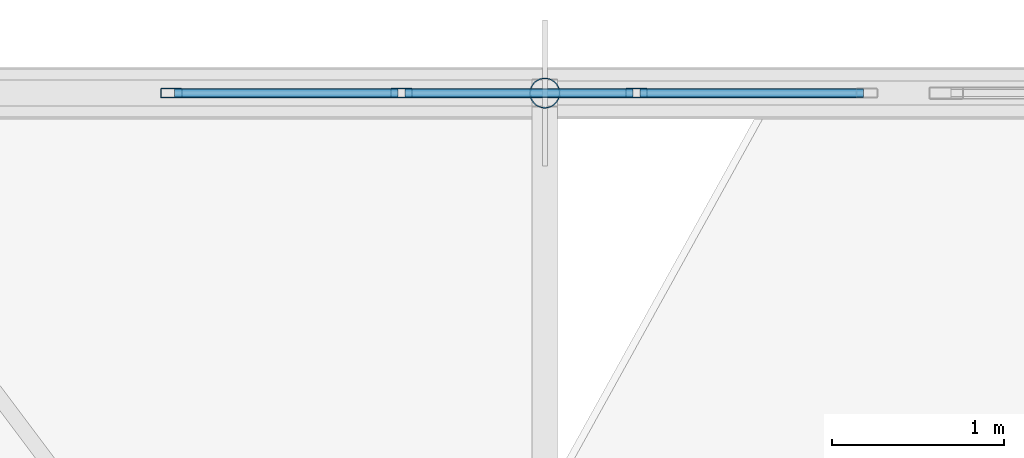
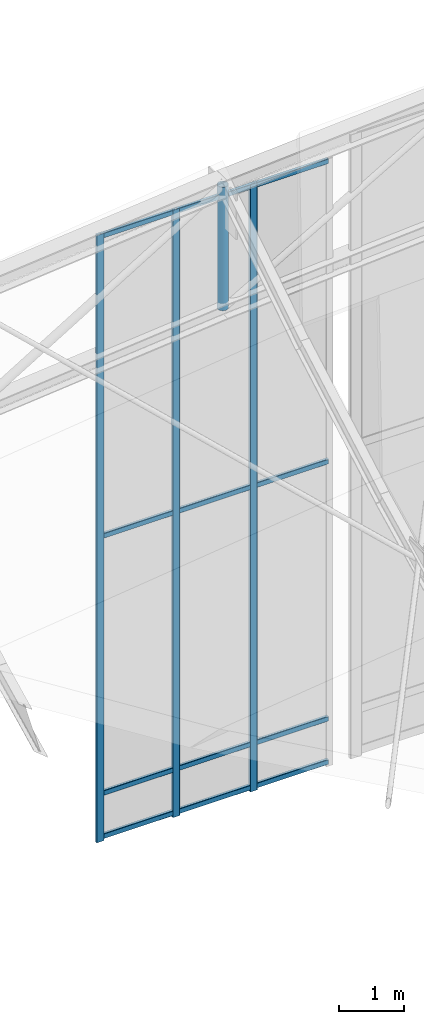
# One storey, part 188 of 262: 16 members, 1 element without a shape of its own.
"""IFC4 building model written with IfcOpenShell, lengths in metres."""

import ifcopenshell
import ifcopenshell.guid

model = None  # the IFC model being written
_history = None  # IfcOwnerHistory: only IFC2X3 demands one
_inside = {}  # id of a spatial element -> (the spatial element, [elements in it])
_under = {}  # id of a project, library or spatial element -> (it, [spatial elements below it])
_declared = {}  # id of a project -> (the project, [libraries it declares])
_typed = {}  # id of a type object -> (the type object, [elements of that type])
_made_of = {}  # id of a material, layer set ... -> (it, [elements and type objects made of it])


def new_model(schema):
    """Start an empty IFC model of exactly this schema.

    Asked for "IFC4X3", IfcOpenShell would pick the latest addendum, in which some entities
    have other attributes; the version numbers below select the first issue.
    IFC2X3 requires an IfcOwnerHistory on every rooted entity: one is made here for all.
    """
    global model, _history
    if schema == "IFC4X3":
        model = ifcopenshell.file(schema_version=(4, 3, 0, 0))
    else:
        model = ifcopenshell.file(schema=schema)
    _inside.clear()
    _under.clear()
    _declared.clear()
    _typed.clear()
    _made_of.clear()
    _history = None
    if model.schema == "IFC2X3":
        org = make("IfcOrganization", Name="unknown")
        user = make(
            "IfcPersonAndOrganization",
            ThePerson=make("IfcPerson", FamilyName="unknown"),
            TheOrganization=org,
        )
        app = make(
            "IfcApplication",
            ApplicationDeveloper=org,
            Version="unknown",
            ApplicationFullName="unknown",
            ApplicationIdentifier="unknown",
        )
        _history = make(
            "IfcOwnerHistory",
            OwningUser=user,
            OwningApplication=app,
            ChangeAction="ADDED",
            CreationDate=0,
        )
    return model


def make(cls, **values):
    """One entity of the class cls with the attributes given. An attribute that is None is left unset."""
    return model.create_entity(
        cls, **{name: value for name, value in values.items() if value is not None}
    )


def rooted(cls, **values):
    """An entity with a GlobalId (a new one), such as an element, a storey or a relation."""
    return make(cls, GlobalId=ifcopenshell.guid.new(), OwnerHistory=_history, **values)


def si_unit(unit_type, name, prefix=None):
    """IfcSIUnit, for example si_unit("LENGTHUNIT", "METRE", prefix="MILLI")."""
    return make("IfcSIUnit", UnitType=unit_type, Prefix=prefix, Name=name)


def derived_unit(unit_type, elements):
    """IfcDerivedUnit: a product of units, each with its exponent."""
    return make(
        "IfcDerivedUnit",
        Elements=[
            make("IfcDerivedUnitElement", Unit=unit, Exponent=power)
            for unit, power in elements
        ],
        UnitType=unit_type,
    )


def assignment(units):
    """IfcUnitAssignment: the units of a project."""
    return None if units is None else make("IfcUnitAssignment", Units=units)


def point(xyz):
    """IfcCartesianPoint."""
    return None if xyz is None else make("IfcCartesianPoint", Coordinates=xyz)


def direction(xyz):
    """IfcDirection."""
    return None if xyz is None else make("IfcDirection", DirectionRatios=xyz)


def frame(location, z_axis=None, x_axis=None):
    """IfcAxis2Placement3D, a coordinate frame: its origin and axes. An axis left out is left unset."""
    return make(
        "IfcAxis2Placement3D",
        Location=point(location),
        Axis=direction(z_axis),
        RefDirection=direction(x_axis),
    )


def frame_2d(location, x_axis=None):
    """IfcAxis2Placement2D, a coordinate frame in the plane: its origin and x axis."""
    return make(
        "IfcAxis2Placement2D", Location=point(location), RefDirection=direction(x_axis)
    )


def origin():
    """The frame at (0, 0, 0) with its axes left unset."""
    return frame((0.0, 0.0, 0.0))


def origin_2d():
    """The frame at (0, 0) in the plane with its x axis left unset."""
    return frame_2d((0.0, 0.0))


def place(relative_to, where):
    """IfcLocalPlacement: puts the frame where relative to a parent placement (None: the world)."""
    return make(
        "IfcLocalPlacement", PlacementRelTo=relative_to, RelativePlacement=where
    )


def context(
    kind, dimensions, precision=None, world=None, true_north=None, identifier=None
):
    """IfcGeometricRepresentationContext, for example the 3D "Model" context."""
    return make(
        "IfcGeometricRepresentationContext",
        ContextIdentifier=identifier,
        ContextType=kind,
        CoordinateSpaceDimension=dimensions,
        Precision=precision,
        WorldCoordinateSystem=world,
        TrueNorth=true_north,
    )


def subcontext(parent, identifier, kind, view, scale=None):
    """IfcGeometricRepresentationSubContext, for example "Body" below "Model"."""
    return make(
        "IfcGeometricRepresentationSubContext",
        ContextIdentifier=identifier,
        ContextType=kind,
        ParentContext=parent,
        TargetScale=scale,
        TargetView=view,
    )


def project(units=None, contexts=None):
    """IfcProject with its units and contexts."""
    return rooted(
        "IfcProject",
        Name="project",
        RepresentationContexts=contexts,
        UnitsInContext=assignment(units),
    )


def spatial(cls, under=None, at=None, **own):
    """A site, building, storey or space (cls), placed at a placement, below another one or the project."""
    s = rooted(cls, ObjectPlacement=at, **own)
    if under is not None:
        _under.setdefault(under.id(), (under, []))[1].append(s)
    return s


def profile(cls, at=None, kind="AREA", **sizes):
    """A parametric profile (cls). Its sizes go by their IFC names, for example OverallWidth=200.0."""
    return make(cls, ProfileType=kind, Position=at, **sizes)


def hollow_rectangle(**sizes):
    """IfcRectangleHollowProfileDef."""
    return profile("IfcRectangleHollowProfileDef", **sizes)


def hollow_circle(**sizes):
    """IfcCircleHollowProfileDef."""
    return profile("IfcCircleHollowProfileDef", **sizes)


def extrude(swept, where, along, depth):
    """IfcExtrudedAreaSolid: the profile swept, set in the frame where, extruded along a direction by depth."""
    return make(
        "IfcExtrudedAreaSolid",
        SweptArea=swept,
        Position=where,
        ExtrudedDirection=direction(along),
        Depth=depth,
    )


def shape(context_of_items, identifier, shape_type, items):
    """IfcShapeRepresentation: the items that make up one representation, for example the "Body"."""
    return make(
        "IfcShapeRepresentation",
        ContextOfItems=context_of_items,
        RepresentationIdentifier=identifier,
        RepresentationType=shape_type,
        Items=items,
    )


def material(Name=None, Category=None):
    """IfcMaterial."""
    return make("IfcMaterial", Name=Name, Category=Category)


def layer(
    of_material, thickness, ventilated=None, Name=None, Category=None, Priority=None
):
    """IfcMaterialLayer: one layer of a wall or slab, of a material (None: an air gap)."""
    return make(
        "IfcMaterialLayer",
        Material=of_material,
        LayerThickness=thickness,
        IsVentilated=ventilated,
        Name=Name,
        Category=Category,
        Priority=Priority,
    )


def layer_set(layers, Name=None):
    """IfcMaterialLayerSet."""
    return make("IfcMaterialLayerSet", MaterialLayers=layers, LayerSetName=Name)


def material_profile(
    of_material, cross_section, Name=None, Category=None, Priority=None
):
    """IfcMaterialProfile: a cross section and its material."""
    return make(
        "IfcMaterialProfile",
        Name=Name,
        Material=of_material,
        Profile=cross_section,
        Priority=Priority,
        Category=Category,
    )


def profile_set(profiles, Name=None, composite=None):
    """IfcMaterialProfileSet."""
    return make(
        "IfcMaterialProfileSet",
        Name=Name,
        MaterialProfiles=profiles,
        CompositeProfile=composite,
    )


def made_of(thing, what):
    """Note that an element or type object is made of a material, layer set ...; save() writes the relation."""
    if what is not None:
        _made_of.setdefault(what.id(), (what, []))[1].append(thing)
    return thing


def type_object(cls, material=None, **own):
    """A type object (cls), such as IfcWallType, which elements share."""
    return made_of(rooted(cls, **own), material)


def element(
    cls,
    number,
    at=None,
    inside=None,
    cuts=None,
    type_object=None,
    material=None,
    context=None,
    identifier="Body",
    shape_type=None,
    held_by="IfcProductDefinitionShape",
    body=None,
    shapes=None,
    **own,
):
    """One element of the class cls, such as IfcWall. Its Tag is "e" and its number.

    at: its placement. inside: the storey or other place that contains it. cuts: it is an
    opening in that element (IfcRelVoidsElement). A single representation is given by context,
    identifier, shape_type and body (its items); several are given by shapes. held_by: the class
    of the entity that holds the representations. save() writes the other relations.
    """
    e = rooted(cls, Tag="e%d" % number, ObjectPlacement=at, **own)
    if body is not None:
        shapes = [shape(context, identifier, shape_type, body)]
    if shapes is not None:
        e.Representation = make(held_by, Representations=shapes)
    if inside is not None:
        _inside.setdefault(inside.id(), (inside, []))[1].append(e)
    if cuts is not None:
        rooted(
            "IfcRelVoidsElement", RelatingBuildingElement=cuts, RelatedOpeningElement=e
        )
    if type_object is not None:
        _typed.setdefault(type_object.id(), (type_object, []))[1].append(e)
    return made_of(e, material)


def aggregate(whole, parts):
    """IfcRelAggregates: a whole, such as a stair, and the parts it consists of."""
    return rooted("IfcRelAggregates", RelatingObject=whole, RelatedObjects=parts)


def save(model, path):
    """Write the relations noted so far, then the file.

    IfcRelAggregates (storeys below a building ...), IfcRelContainedInSpatialStructure (elements
    in a storey), IfcRelDefinesByType, IfcRelAssociatesMaterial and IfcRelDeclares: one each for
    every whole, place, type object, material and project.
    """
    for whole, parts in _under.values():
        aggregate(whole, parts)
    for where, things in _inside.values():
        rooted(
            "IfcRelContainedInSpatialStructure",
            RelatedElements=things,
            RelatingStructure=where,
        )
    for kind, things in _typed.values():
        rooted("IfcRelDefinesByType", RelatedObjects=things, RelatingType=kind)
    for what, things in _made_of.values():
        rooted("IfcRelAssociatesMaterial", RelatedObjects=things, RelatingMaterial=what)
    for by, libraries in _declared.values():
        rooted("IfcRelDeclares", RelatingContext=by, RelatedDefinitions=libraries)
    model.write(path)


model = new_model("IFC4")

# Units and contexts
model_context = context("Model", 3, precision=1e-05, world=origin(), true_north=direction((0.0, 1.0)))
body_context = subcontext(model_context, "Body", "Model", "MODEL_VIEW")
ifc_project = project(units=[si_unit("LENGTHUNIT", "METRE"), si_unit("AREAUNIT", "SQUARE_METRE"), si_unit("VOLUMEUNIT", "CUBIC_METRE"), si_unit("PLANEANGLEUNIT", "RADIAN"), si_unit("MASSUNIT", "GRAM", prefix="KILO"), derived_unit("THERMALTRANSMITTANCEUNIT", [(si_unit("POWERUNIT", "WATT"), 1), (si_unit("LENGTHUNIT", "METRE"), -2), (si_unit("THERMODYNAMICTEMPERATUREUNIT", "KELVIN"), -1)])], contexts=[model_context])

# Site, building, storey
site_placement = place(None, origin())
site = spatial("IfcSite", under=ifc_project, at=site_placement, CompositionType="ELEMENT")
building_placement = place(site_placement, origin())
building = spatial("IfcBuilding", under=site, at=building_placement, Name="Almenara Railside Exhibition Hall", CompositionType="ELEMENT")
storey_placement = place(building_placement, frame((0.0, 0.0, 21.699951171875)))
storey = spatial("IfcBuildingStorey", under=building, at=storey_placement, Name="RF", CompositionType="ELEMENT", Elevation=21.699951171875)

# Curtain wall, members
ifc_material_1 = material(Name="Bronze-anodised aluminium and low-E double glazing", Category="aluminium")
ifc_layer = layer(ifc_material_1, 0.179931640625, Name="Bronze-anodised aluminium and low-E double glazing")
ifc_layer_set = layer_set([ifc_layer], Name="Bronze-anodised aluminium and low-E double glazing")
curtain_wall_type = type_object("IfcCurtainWallType", Name="Scroll Gable Tall Curtain Wall 3800x5400", PredefinedType="NOTDEFINED", material=ifc_layer_set)
curtain_wall_placement = place(storey_placement, origin())
curtain_wall = element("IfcCurtainWall", 1, at=curtain_wall_placement, inside=storey, type_object=curtain_wall_type, Name="Curtain wall CW-G1-207", PredefinedType="NOTDEFINED")
ifc_material_2 = material(Name="Bronze-anodised aluminium", Category="aluminium")
ifc_material_profile_1 = material_profile(ifc_material_2, hollow_rectangle(XDim=0.054931640625, YDim=0.125, WallThickness=0.0029296875, InnerFilletRadius=0.0029296875, OuterFilletRadius=0.006103515625, at=origin_2d()), Name="ALU-MUL 55x125x3")
ifc_profile_set_1 = profile_set([ifc_material_profile_1], Name="Bronze-anodised aluminium")
member_type_1 = type_object("IfcMemberType", Name="Curtain Wall Mullion 55x125x3", PredefinedType="MULLION", material=ifc_profile_set_1)
member_1_placement = place(storey_placement, frame((23.327392578125, 132.0, -0.93505859375), z_axis=(0.0, 0.0, 1.0), x_axis=(0.0, 1.0, 0.0)))
member_1 = element("IfcMember", 2, at=member_1_placement, type_object=member_type_1, Name="CW-G1-207 mullion 1", PredefinedType="MULLION", context=body_context, shape_type="SweptSolid", body=[
    extrude(hollow_rectangle(XDim=0.054931640625, YDim=0.125, WallThickness=0.0029296875, InnerFilletRadius=0.0029296875, OuterFilletRadius=0.006103515625, at=origin_2d()), origin(), (0.0, 0.0, 1.0), 11.3251953125),
])
member_2_placement = place(storey_placement, frame((24.666748046875, 132.0, -0.93505859375), z_axis=(0.0, 0.0, 1.0), x_axis=(0.0, 1.0, 0.0)))
member_2 = element("IfcMember", 3, at=member_2_placement, type_object=member_type_1, Name="CW-G1-207 mullion 2", PredefinedType="MULLION", context=body_context, shape_type="SweptSolid", body=[
    extrude(hollow_rectangle(XDim=0.054931640625, YDim=0.125, WallThickness=0.0029296875, InnerFilletRadius=0.0029296875, OuterFilletRadius=0.006103515625, at=origin_2d()), origin(), (0.0, 0.0, 1.0), 11.3251953125),
])
member_3_placement = place(storey_placement, frame((26.033447265625, 132.0, -0.93505859375), z_axis=(0.0, 0.0, 1.0), x_axis=(0.0, 1.0, 0.0)))
member_3 = element("IfcMember", 4, at=member_3_placement, type_object=member_type_1, Name="CW-G1-207 mullion 3", PredefinedType="MULLION", context=body_context, shape_type="SweptSolid", body=[
    extrude(hollow_rectangle(XDim=0.054931640625, YDim=0.125, WallThickness=0.0029296875, InnerFilletRadius=0.0029296875, OuterFilletRadius=0.006103515625, at=origin_2d()), origin(), (0.0, 0.0, 1.0), 11.3251953125),
])
ifc_material_profile_2 = material_profile(ifc_material_2, hollow_rectangle(XDim=0.054931640625, YDim=0.090087890625, WallThickness=0.0029296875, InnerFilletRadius=0.0029296875, OuterFilletRadius=0.006103515625, at=origin_2d()), Name="ALU-TRN 55x90x3")
ifc_profile_set_2 = profile_set([ifc_material_profile_2], Name="Bronze-anodised aluminium")
member_type_2 = type_object("IfcMemberType", Name="Curtain Wall Transom 55x90x3", PredefinedType="USERDEFINED", material=ifc_profile_set_2)
member_4_placement = place(storey_placement, frame((23.346923828125, 132.0, -0.85498046875), z_axis=(1.0, 0.0, 0.0), x_axis=(0.0, 1.0, 0.0)))
member_4 = element("IfcMember", 5, at=member_4_placement, type_object=member_type_2, Name="CW-G1-207 transom 1.1", ObjectType="TRANSOM", PredefinedType="USERDEFINED", context=body_context, shape_type="SweptSolid", body=[
    extrude(hollow_rectangle(XDim=0.054931640625, YDim=0.090087890625, WallThickness=0.0029296875, InnerFilletRadius=0.0029296875, OuterFilletRadius=0.006103515625, at=origin_2d()), origin(), (0.0, 0.0, 1.0), 1.30029296875),
])
member_5_placement = place(storey_placement, frame((23.346923828125, 132.0, -0.050048828125), z_axis=(1.0, 0.0, 0.0), x_axis=(0.0, 1.0, 0.0)))
member_5 = element("IfcMember", 6, at=member_5_placement, type_object=member_type_2, Name="CW-G1-207 transom 1.2", ObjectType="TRANSOM", PredefinedType="USERDEFINED", context=body_context, shape_type="SweptSolid", body=[
    extrude(hollow_rectangle(XDim=0.054931640625, YDim=0.090087890625, WallThickness=0.0029296875, InnerFilletRadius=0.0029296875, OuterFilletRadius=0.006103515625, at=origin_2d()), origin(), (0.0, 0.0, 1.0), 1.30029296875),
])
member_6_placement = place(storey_placement, frame((23.346923828125, 132.0, 4.7451171875), z_axis=(1.0, 0.0, 0.0), x_axis=(0.0, 1.0, 0.0)))
member_6 = element("IfcMember", 7, at=member_6_placement, type_object=member_type_2, Name="CW-G1-207 transom 1.3", ObjectType="TRANSOM", PredefinedType="USERDEFINED", context=body_context, shape_type="SweptSolid", body=[
    extrude(hollow_rectangle(XDim=0.054931640625, YDim=0.090087890625, WallThickness=0.0029296875, InnerFilletRadius=0.0029296875, OuterFilletRadius=0.006103515625, at=origin_2d()), origin(), (0.0, 0.0, 1.0), 1.30029296875),
])
member_7_placement = place(storey_placement, frame((23.346923828125, 132.0, 10.344970703125), z_axis=(1.0, 0.0, 0.0), x_axis=(0.0, 1.0, 0.0)))
member_7 = element("IfcMember", 8, at=member_7_placement, type_object=member_type_2, Name="CW-G1-207 transom 1.4", ObjectType="TRANSOM", PredefinedType="USERDEFINED", context=body_context, shape_type="SweptSolid", body=[
    extrude(hollow_rectangle(XDim=0.054931640625, YDim=0.090087890625, WallThickness=0.0029296875, InnerFilletRadius=0.0029296875, OuterFilletRadius=0.006103515625, at=origin_2d()), origin(), (0.0, 0.0, 1.0), 1.30029296875),
])
member_8_placement = place(storey_placement, frame((24.686279296875, 132.0, -0.85498046875), z_axis=(1.0, 0.0, 0.0), x_axis=(0.0, 1.0, 0.0)))
member_8 = element("IfcMember", 9, at=member_8_placement, type_object=member_type_2, Name="CW-G1-207 transom 2.1", ObjectType="TRANSOM", PredefinedType="USERDEFINED", context=body_context, shape_type="SweptSolid", body=[
    extrude(hollow_rectangle(XDim=0.054931640625, YDim=0.090087890625, WallThickness=0.0029296875, InnerFilletRadius=0.0029296875, OuterFilletRadius=0.006103515625, at=origin_2d()), origin(), (0.0, 0.0, 1.0), 1.32763671875),
])
member_9_placement = place(storey_placement, frame((24.686279296875, 132.0, -0.050048828125), z_axis=(1.0, 0.0, 0.0), x_axis=(0.0, 1.0, 0.0)))
member_9 = element("IfcMember", 10, at=member_9_placement, type_object=member_type_2, Name="CW-G1-207 transom 2.2", ObjectType="TRANSOM", PredefinedType="USERDEFINED", context=body_context, shape_type="SweptSolid", body=[
    extrude(hollow_rectangle(XDim=0.054931640625, YDim=0.090087890625, WallThickness=0.0029296875, InnerFilletRadius=0.0029296875, OuterFilletRadius=0.006103515625, at=origin_2d()), origin(), (0.0, 0.0, 1.0), 1.32763671875),
])
member_10_placement = place(storey_placement, frame((24.686279296875, 132.0, 4.7451171875), z_axis=(1.0, 0.0, 0.0), x_axis=(0.0, 1.0, 0.0)))
member_10 = element("IfcMember", 11, at=member_10_placement, type_object=member_type_2, Name="CW-G1-207 transom 2.3", ObjectType="TRANSOM", PredefinedType="USERDEFINED", context=body_context, shape_type="SweptSolid", body=[
    extrude(hollow_rectangle(XDim=0.054931640625, YDim=0.090087890625, WallThickness=0.0029296875, InnerFilletRadius=0.0029296875, OuterFilletRadius=0.006103515625, at=origin_2d()), origin(), (0.0, 0.0, 1.0), 1.32763671875),
])
member_11_placement = place(storey_placement, frame((24.686279296875, 132.0, 10.344970703125), z_axis=(1.0, 0.0, 0.0), x_axis=(0.0, 1.0, 0.0)))
member_11 = element("IfcMember", 12, at=member_11_placement, type_object=member_type_2, Name="CW-G1-207 transom 2.4", ObjectType="TRANSOM", PredefinedType="USERDEFINED", context=body_context, shape_type="SweptSolid", body=[
    extrude(hollow_rectangle(XDim=0.054931640625, YDim=0.090087890625, WallThickness=0.0029296875, InnerFilletRadius=0.0029296875, OuterFilletRadius=0.006103515625, at=origin_2d()), origin(), (0.0, 0.0, 1.0), 1.32763671875),
])
member_12_placement = place(storey_placement, frame((26.052734375, 132.0, -0.85498046875), z_axis=(1.0, 0.0, 0.0), x_axis=(0.0, 1.0, 0.0)))
member_12 = element("IfcMember", 13, at=member_12_placement, type_object=member_type_2, Name="CW-G1-207 transom 3.1", ObjectType="TRANSOM", PredefinedType="USERDEFINED", context=body_context, shape_type="SweptSolid", body=[
    extrude(hollow_rectangle(XDim=0.054931640625, YDim=0.090087890625, WallThickness=0.0029296875, InnerFilletRadius=0.0029296875, OuterFilletRadius=0.006103515625, at=origin_2d()), origin(), (0.0, 0.0, 1.0), 1.30029296875),
])
member_13_placement = place(storey_placement, frame((26.052734375, 132.0, -0.050048828125), z_axis=(1.0, 0.0, 0.0), x_axis=(0.0, 1.0, 0.0)))
member_13 = element("IfcMember", 14, at=member_13_placement, type_object=member_type_2, Name="CW-G1-207 transom 3.2", ObjectType="TRANSOM", PredefinedType="USERDEFINED", context=body_context, shape_type="SweptSolid", body=[
    extrude(hollow_rectangle(XDim=0.054931640625, YDim=0.090087890625, WallThickness=0.0029296875, InnerFilletRadius=0.0029296875, OuterFilletRadius=0.006103515625, at=origin_2d()), origin(), (0.0, 0.0, 1.0), 1.30029296875),
])
member_14_placement = place(storey_placement, frame((26.052734375, 132.0, 4.7451171875), z_axis=(1.0, 0.0, 0.0), x_axis=(0.0, 1.0, 0.0)))
member_14 = element("IfcMember", 15, at=member_14_placement, type_object=member_type_2, Name="CW-G1-207 transom 3.3", ObjectType="TRANSOM", PredefinedType="USERDEFINED", context=body_context, shape_type="SweptSolid", body=[
    extrude(hollow_rectangle(XDim=0.054931640625, YDim=0.090087890625, WallThickness=0.0029296875, InnerFilletRadius=0.0029296875, OuterFilletRadius=0.006103515625, at=origin_2d()), origin(), (0.0, 0.0, 1.0), 1.30029296875),
])
member_15_placement = place(storey_placement, frame((26.052734375, 132.0, 10.344970703125), z_axis=(1.0, 0.0, 0.0), x_axis=(0.0, 1.0, 0.0)))
member_15 = element("IfcMember", 16, at=member_15_placement, type_object=member_type_2, Name="CW-G1-207 transom 3.4", ObjectType="TRANSOM", PredefinedType="USERDEFINED", context=body_context, shape_type="SweptSolid", body=[
    extrude(hollow_rectangle(XDim=0.054931640625, YDim=0.090087890625, WallThickness=0.0029296875, InnerFilletRadius=0.0029296875, OuterFilletRadius=0.006103515625, at=origin_2d()), origin(), (0.0, 0.0, 1.0), 1.30029296875),
])
aggregate(curtain_wall, [member_1, member_2, member_3, member_4, member_5, member_6, member_7, member_8, member_9, member_10, member_11, member_12, member_13, member_14, member_15])

# Member
ifc_material_3 = material(Name="Structural steel S355JR", Category="steel")
ifc_material_profile_3 = material_profile(ifc_material_3, hollow_circle(Radius=0.0888671875, WallThickness=0.006103515625, at=origin_2d()), Name="CHS 177.8x6")
ifc_profile_set_3 = profile_set([ifc_material_profile_3], Name="Structural steel S355JR")
member_type_3 = type_object("IfcMemberType", Name="Truss Quarter Vertical Strut CHS 177.8x6 S355JR", PredefinedType="BRACE", material=ifc_profile_set_3)
member_16_placement = place(storey_placement, frame((25.5, 132.0, 8.25), z_axis=(0.0, 0.0, 1.0), x_axis=(1.0, 0.0, 0.0)))
element("IfcMember", 17, at=member_16_placement, inside=storey, type_object=member_type_3, Name="MEM-TV-V1-07-03", PredefinedType="BRACE", context=body_context, shape_type="SweptSolid", body=[
    extrude(hollow_circle(Radius=0.0888671875, WallThickness=0.006103515625, at=origin_2d()), origin(), (0.0, 0.0, 1.0), 2.300048828125),
])

save(model, "model.ifc")
